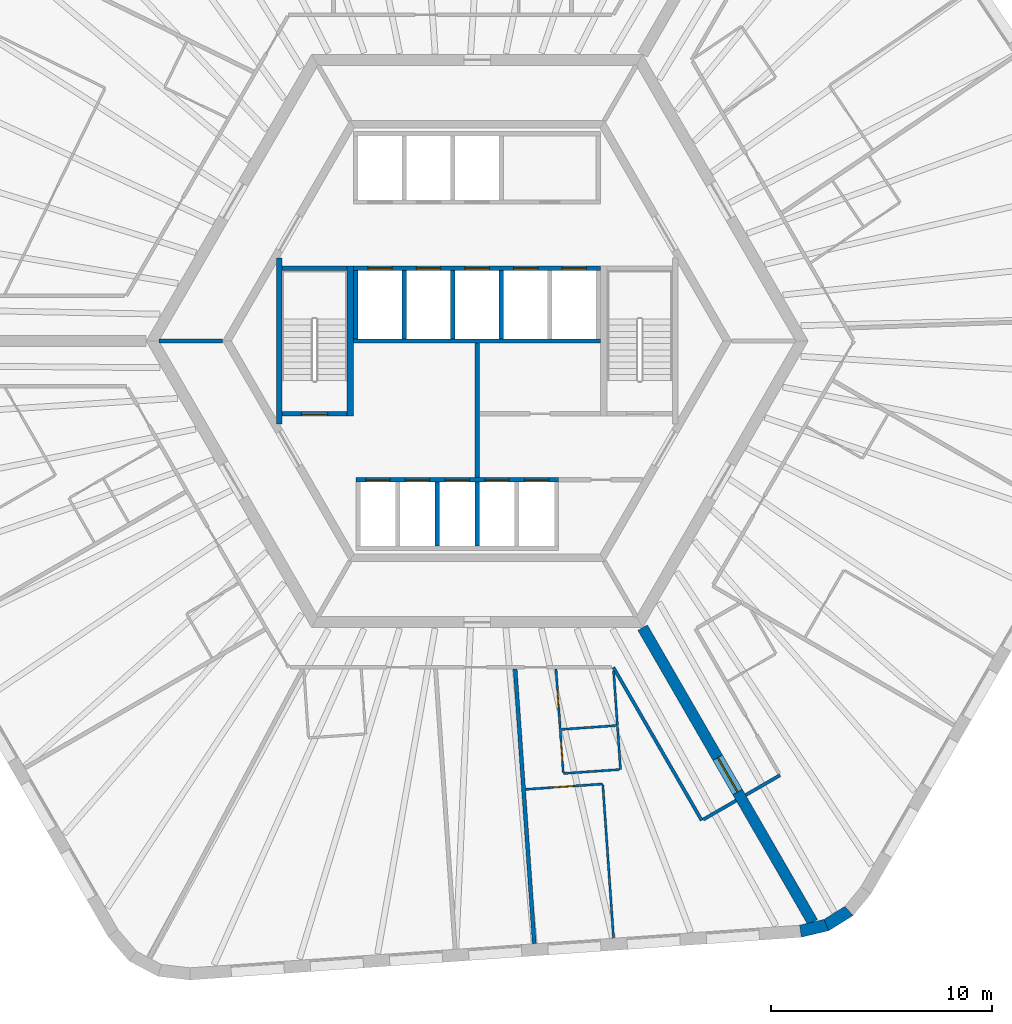
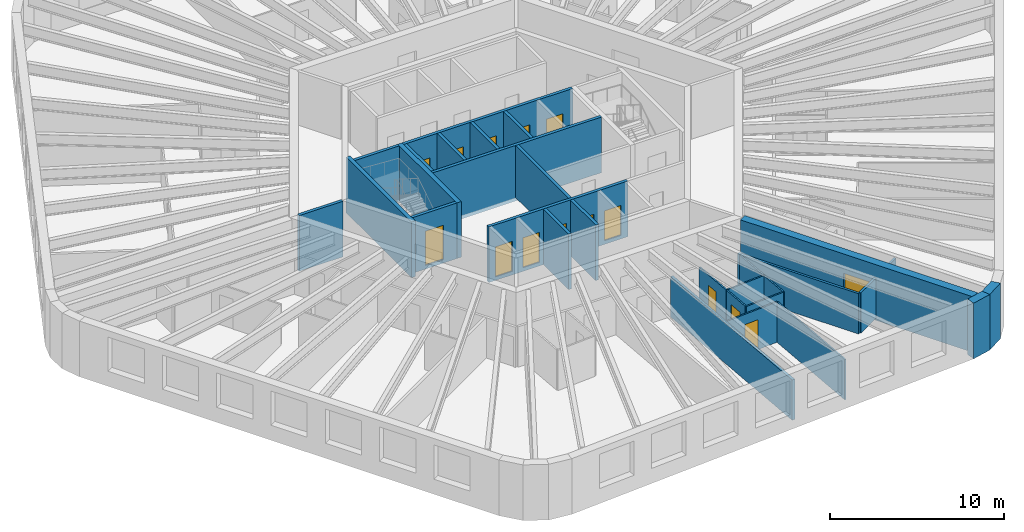
# One storey, part 4 of 10: 30 walls, 15 doors, 15 openings.
"""IFC4 building model written with IfcOpenShell, lengths in metres."""

from ifc_helpers import new_model, si_unit, direction, frame, frame_2d, origin, place, context, subcontext, project, spatial, polyline, rectangle, outline, extrude, material, layer, layer_set, type_object, element, fill, save


model = new_model("IFC4")

# Units and contexts
model_context = context("Model", 3, precision=1e-05, world=origin(), true_north=direction((0.0, 1.0)))
body_context = subcontext(model_context, "Body", "Model", "MODEL_VIEW")
ifc_project = project(units=[si_unit("LENGTHUNIT", "METRE"), si_unit("AREAUNIT", "SQUARE_METRE"), si_unit("VOLUMEUNIT", "CUBIC_METRE"), si_unit("PLANEANGLEUNIT", "RADIAN"), si_unit("MASSUNIT", "GRAM", prefix="KILO")], contexts=[model_context])

# Site, building, storey
site_placement = place(None, origin())
site = spatial("IfcSite", under=ifc_project, at=site_placement, CompositionType="ELEMENT")
building_placement = place(site_placement, origin())
building = spatial("IfcBuilding", under=site, at=building_placement, Name="Tarnside Tower", CompositionType="ELEMENT")
storey_placement = place(building_placement, frame((0.0, 0.0, 156.60009765625)))
storey = spatial("IfcBuildingStorey", under=building, at=storey_placement, Name="L36", CompositionType="ELEMENT", Elevation=156.60009765625)

# Wall, opening, door
ifc_material_1 = material(Name="Gypsum board partition on steel studs", Category="steel")
ifc_layer_1 = layer(ifc_material_1, 0.10009765625)
ifc_layer_set_1 = layer_set([ifc_layer_1], Name="Bathroom wall 100")
wall_type_1 = type_object("IfcWallType", Name="Bathroom wall 100", PredefinedType="PARTITIONING", material=ifc_layer_set_1)
wall_1_placement = place(storey_placement, frame((3.7685546875, -17.619384765625, 0.0), z_axis=(0.0, 0.0, 1.0), x_axis=(-0.06975229722, 0.997564342302, 0.0)))
wall_1 = element("IfcWall", 1, at=wall_1_placement, inside=storey, type_object=wall_type_1, Name="Bathroom wall 11086", PredefinedType="PARTITIONING", context=body_context, shape_type="SweptSolid", body=[
    extrude(rectangle(XDim=2.7509765625, YDim=0.10009765625, at=frame_2d((1.37548828125, 0.0))), origin(), (0.0, 0.0, 1.0), 2.8232421875),
])
opening_1_placement = place(wall_1_placement, frame((1.0, 0.0, 0.0)))
opening_1 = element("IfcOpeningElement", 2, at=opening_1_placement, cuts=wall_1, Name="Opening D-B1", PredefinedType="OPENING", context=body_context, shape_type="SweptSolid", body=[
    extrude(rectangle(XDim=0.800048828125, YDim=2.10009765625, at=frame_2d((0.39990234375, 1.050048828125))), frame((0.0, 0.06005859375, 0.0), z_axis=(0.0, -1.0, 0.0), x_axis=(1.0, 0.0, 0.0)), (0.0, 0.0, 1.0), 0.1201171875),
])
ifc_material_2 = material(Name="Timber door leaf", Category="wood")
door_type_1 = type_object("IfcDoorType", Name="Bathroom door 800", OperationType="NOTDEFINED", PredefinedType="DOOR", material=ifc_material_2)
door_1_placement = place(opening_1_placement, origin())
door_1 = element("IfcDoor", 3, at=door_1_placement, inside=storey, type_object=door_type_1, Name="Bathroom door 11022", OperationType="SINGLE_SWING_RIGHT", OverallHeight=2.10009765625, OverallWidth=0.800048828125, PredefinedType="DOOR", context=body_context, shape_type="SweptSolid", body=[
    extrude(rectangle(XDim=0.800048828125, YDim=2.10009765625, at=frame_2d((0.39990234375, 1.050048828125))), frame((0.0, 0.02490234375, 0.0), z_axis=(0.0, -1.0, 0.0), x_axis=(1.0, 0.0, 0.0)), (0.0, 0.0, 1.0), 0.050048828125),
])
fill(opening_1, door_1)

# Walls
wall_2_placement = place(storey_placement, frame((6.189697265625, -14.970703125, 0.0), z_axis=(0.0, 0.0, 1.0), x_axis=(0.069689641529, -0.997568721374, 0.0)))
element("IfcWall", 4, at=wall_2_placement, inside=storey, type_object=wall_type_1, Name="Bathroom wall 11087", PredefinedType="PARTITIONING", context=body_context, shape_type="SweptSolid", body=[
    extrude(rectangle(XDim=2.473388671875, YDim=0.10009765625, at=frame_2d((1.23681640625, 0.0))), origin(), (0.0, 0.0, 1.0), 2.8232421875),
])
wall_3_placement = place(storey_placement, frame((3.818359375, -17.615966796875, 0.0), z_axis=(0.0, 0.0, 1.0), x_axis=(0.99755930726, 0.069824268692, 0.0)))
element("IfcWall", 5, at=wall_3_placement, inside=storey, type_object=wall_type_1, Name="Bathroom wall 11093", PredefinedType="PARTITIONING", context=body_context, shape_type="SweptSolid", body=[
    extrude(rectangle(XDim=2.5, YDim=0.10009765625, at=frame_2d((1.25, 0.0))), origin(), (0.0, 0.0, 1.0), 2.8232421875),
])
ifc_material_3 = material(Name="Concrete C40/50", Category="concrete")
ifc_layer_2 = layer(ifc_material_3, 0.199951171875)
ifc_layer_set_2 = layer_set([ifc_layer_2], Name="Core room partition 200 C40/50")
wall_type_2 = type_object("IfcWallType", Name="Core room partition 200 C40/50", PredefinedType="PARTITIONING", material=ifc_layer_set_2)
wall_4_placement = place(storey_placement, frame((0.0, -6.199951171875, 0.0), z_axis=(0.0, 0.0, 1.0), x_axis=(0.0, 1.0, 0.0)))
element("IfcWall", 6, at=wall_4_placement, inside=storey, type_object=wall_type_2, Name="L36 core partition X0", PredefinedType="PARTITIONING", context=body_context, shape_type="SweptSolid", body=[
    extrude(rectangle(XDim=6.099853515625, YDim=0.199951171875, at=frame_2d((3.0498046875, 0.0))), origin(), (0.0, 0.0, 1.0), 3.64990234375),
])

# Wall, opening, door
ifc_material_4 = material(Name="Concrete C70/85", Category="concrete")
ifc_layer_3 = layer(ifc_material_4, 0.5)
ifc_layer_set_3 = layer_set([ifc_layer_3], Name="Core wall Z2 500 C70/85")
wall_type_3 = type_object("IfcWallType", Name="Core wall Z2 500 C70/85", PredefinedType="SHEAR", material=ifc_layer_set_3)
wall_5_placement = place(storey_placement, frame((7.505615234375, -13.0, -0.150146484375), z_axis=(0.0, 0.0, 1.0), x_axis=(0.499988271576, -0.866032175087, 0.0)))
wall_5 = element("IfcWall", 7, at=wall_5_placement, inside=storey, type_object=wall_type_3, Name="L36 spine wall 3", PredefinedType="SHEAR", context=body_context, shape_type="SweptSolid", body=[
    extrude(rectangle(XDim=15.423583984375, YDim=0.5, at=frame_2d((7.7119140625, 0.0))), origin(), (0.0, 0.0, 1.0), 3.900146484375),
])
opening_2_placement = place(wall_5_placement, frame((6.811767578125, 0.0, 0.14990234375)))
opening_2 = element("IfcOpeningElement", 8, at=opening_2_placement, cuts=wall_5, Name="Opening CD-SPN", PredefinedType="OPENING", context=body_context, shape_type="SweptSolid", body=[
    extrude(rectangle(XDim=1.800048828125, YDim=2.39990234375, at=frame_2d((0.89990234375, 1.199951171875))), frame((0.0, 0.260009765625, 0.0), z_axis=(0.0, -1.0, 0.0), x_axis=(1.0, 0.0, 0.0)), (0.0, 0.0, 1.0), 0.52001953125),
])
ifc_material_5 = material(Name="Steel fire door", Category="steel")
door_type_2 = type_object("IfcDoorType", Name="Spine passage double door FD60 1800x2400", OperationType="NOTDEFINED", PredefinedType="DOOR", material=ifc_material_5)
door_2_placement = place(opening_2_placement, origin())
door_2 = element("IfcDoor", 9, at=door_2_placement, inside=storey, type_object=door_type_2, Name="L36 spine passage door 3", OperationType="DOUBLE_DOOR_SINGLE_SWING", OverallHeight=2.39990234375, OverallWidth=1.800048828125, PredefinedType="DOOR", context=body_context, shape_type="SweptSolid", body=[
    extrude(rectangle(XDim=1.800048828125, YDim=2.39990234375, at=frame_2d((0.89990234375, 1.199951171875))), frame((0.0, 0.02490234375, 0.0), z_axis=(0.0, -1.0, 0.0), x_axis=(1.0, 0.0, 0.0)), (0.0, 0.0, 1.0), 0.050048828125),
])
fill(opening_2, door_2)

# Walls
ifc_layer_4 = layer(ifc_material_1, 0.14990234375)
ifc_layer_set_4 = layer_set([ifc_layer_4], Name="Corridor wall 150 EI 60")
wall_type_4 = type_object("IfcWallType", Name="Corridor wall 150 EI 60", PredefinedType="PARTITIONING", material=ifc_layer_set_4)
wall_6_placement = place(storey_placement, frame((6.177734375, -14.800048828125, 0.0), z_axis=(0.0, 0.0, 1.0), x_axis=(0.499984309814, -0.866034462328, 0.0)))
element("IfcWall", 10, at=wall_6_placement, inside=storey, type_object=wall_type_4, Name="Corridor wall 11029", PredefinedType="PARTITIONING", context=body_context, shape_type="SweptSolid", body=[
    extrude(rectangle(XDim=8.016845703125, YDim=0.14990234375, at=frame_2d((4.00830078125, 0.0))), origin(), (0.0, 0.0, 1.0), 2.8232421875),
])
wall_7_placement = place(storey_placement, frame((10.2509765625, -21.705322265625, 0.0), z_axis=(0.0, 0.0, 1.0), x_axis=(0.866013532718, 0.500020560727, 0.0)))
element("IfcWall", 11, at=wall_7_placement, inside=storey, type_object=wall_type_4, Name="Corridor wall 11030", PredefinedType="PARTITIONING", context=body_context, shape_type="SweptSolid", body=[
    extrude(rectangle(XDim=1.72509765625, YDim=0.14990234375, at=frame_2d((0.862548828125, 0.0))), origin(), (0.0, 0.0, 1.0), 2.8232421875),
])
wall_8_placement = place(storey_placement, frame((12.177978515625, -20.5927734375, 0.0), z_axis=(0.0, 0.0, 1.0), x_axis=(0.866047807691, 0.499961193289, 0.0)))
element("IfcWall", 12, at=wall_8_placement, inside=storey, type_object=wall_type_4, Name="Corridor wall 11032", PredefinedType="PARTITIONING", context=body_context, shape_type="SweptSolid", body=[
    extrude(rectangle(XDim=1.800048828125, YDim=0.14990234375, at=frame_2d((0.89990234375, 0.0))), origin(), (0.0, 0.0, 1.0), 2.8232421875),
])
ifc_layer_5 = layer(ifc_material_1, 0.179931640625)
ifc_layer_set_5 = layer_set([ifc_layer_5], Name="Demising wall 180 EI 60")
wall_type_5 = type_object("IfcWallType", Name="Demising wall 180 EI 60", PredefinedType="PARTITIONING", material=ifc_layer_set_5)
wall_9_placement = place(storey_placement, frame((2.59521484375, -27.33544921875, 0.0), z_axis=(0.0, 0.0, 1.0), x_axis=(-0.069757939761, 0.997563947745, 0.0)))
element("IfcWall", 13, at=wall_9_placement, inside=storey, type_object=wall_type_5, Name="Demising wall 11084", PredefinedType="PARTITIONING", context=body_context, shape_type="SweptSolid", body=[
    extrude(rectangle(XDim=12.490966796875, YDim=0.179931640625, at=frame_2d((6.24560546875, 0.0))), origin(), (0.0, 0.0, 1.0), 2.8232421875),
])

# Wall, openings, doors
ifc_layer_6 = layer(ifc_material_3, 0.199951171875)
ifc_layer_set_6 = layer_set([ifc_layer_6], Name="Lift shaft wall 200 C40/50")
wall_type_6 = type_object("IfcWallType", Name="Lift shaft wall 200 C40/50", PredefinedType="SHEAR", material=ifc_layer_set_6)
wall_10_placement = place(storey_placement, frame((-5.60009765625, 3.300048828125, -0.25), z_axis=(0.0, 0.0, 1.0), x_axis=(1.0, 0.0, 0.0)))
wall_10 = element("IfcWall", 14, at=wall_10_placement, inside=storey, type_object=wall_type_6, Name="L36 lift shaft front wall R2", PredefinedType="SHEAR", context=body_context, shape_type="SweptSolid", body=[
    extrude(rectangle(XDim=11.2001953125, YDim=0.199951171875, at=frame_2d((5.60009765625, 0.0))), origin(), (0.0, 0.0, 1.0), 3.89990234375),
])
opening_3_placement = place(wall_10_placement, frame((0.64990234375, 0.0, 0.25)))
opening_3 = element("IfcOpeningElement", 15, at=opening_3_placement, cuts=wall_10, Name="Opening LD", PredefinedType="OPENING", context=body_context, shape_type="SweptSolid", body=[
    extrude(rectangle(XDim=1.10009765625, YDim=2.10009765625, at=frame_2d((0.550048828125, 1.050048828125))), frame((0.0, 0.10986328125, 0.0), z_axis=(0.0, -1.0, 0.0), x_axis=(1.0, 0.0, 0.0)), (0.0, 0.0, 1.0), 0.219970703125),
])
opening_4_placement = place(wall_10_placement, frame((2.85009765625, 0.0, 0.25)))
opening_4 = element("IfcOpeningElement", 16, at=opening_4_placement, cuts=wall_10, Name="Opening LD", PredefinedType="OPENING", context=body_context, shape_type="SweptSolid", body=[
    extrude(rectangle(XDim=1.10009765625, YDim=2.10009765625, at=frame_2d((0.550048828125, 1.050048828125))), frame((0.0, 0.10986328125, 0.0), z_axis=(0.0, -1.0, 0.0), x_axis=(1.0, 0.0, 0.0)), (0.0, 0.0, 1.0), 0.219970703125),
])
opening_5_placement = place(wall_10_placement, frame((5.050048828125, 0.0, 0.25)))
opening_5 = element("IfcOpeningElement", 17, at=opening_5_placement, cuts=wall_10, Name="Opening LD", PredefinedType="OPENING", context=body_context, shape_type="SweptSolid", body=[
    extrude(rectangle(XDim=1.10009765625, YDim=2.10009765625, at=frame_2d((0.550048828125, 1.050048828125))), frame((0.0, 0.10986328125, 0.0), z_axis=(0.0, -1.0, 0.0), x_axis=(1.0, 0.0, 0.0)), (0.0, 0.0, 1.0), 0.219970703125),
])
opening_6_placement = place(wall_10_placement, frame((7.25, 0.0, 0.25)))
opening_6 = element("IfcOpeningElement", 18, at=opening_6_placement, cuts=wall_10, Name="Opening LD", PredefinedType="OPENING", context=body_context, shape_type="SweptSolid", body=[
    extrude(rectangle(XDim=1.10009765625, YDim=2.10009765625, at=frame_2d((0.550048828125, 1.050048828125))), frame((0.0, 0.10986328125, 0.0), z_axis=(0.0, -1.0, 0.0), x_axis=(1.0, 0.0, 0.0)), (0.0, 0.0, 1.0), 0.219970703125),
])
opening_7_placement = place(wall_10_placement, frame((9.449951171875, 0.0, 0.25)))
opening_7 = element("IfcOpeningElement", 19, at=opening_7_placement, cuts=wall_10, Name="Opening LD", PredefinedType="OPENING", context=body_context, shape_type="SweptSolid", body=[
    extrude(rectangle(XDim=1.10009765625, YDim=2.10009765625, at=frame_2d((0.550048828125, 1.050048828125))), frame((0.0, 0.10986328125, 0.0), z_axis=(0.0, -1.0, 0.0), x_axis=(1.0, 0.0, 0.0)), (0.0, 0.0, 1.0), 0.219970703125),
])
ifc_material_6 = material(Name="Stainless steel", Category="steel")
door_type_3 = type_object("IfcDoorType", Name="Lift landing door 1100x2100", OperationType="NOTDEFINED", PredefinedType="DOOR", material=ifc_material_6)
door_3_placement = place(opening_3_placement, origin())
door_3 = element("IfcDoor", 20, at=door_3_placement, inside=storey, type_object=door_type_3, Name="Mid-rise lift 4 landing door L36", OperationType="SLIDING_TO_LEFT", OverallHeight=2.10009765625, OverallWidth=1.10009765625, PredefinedType="DOOR", context=body_context, shape_type="SweptSolid", body=[
    extrude(rectangle(XDim=1.10009765625, YDim=2.10009765625, at=frame_2d((0.550048828125, 1.050048828125))), frame((0.0, 0.02490234375, 0.0), z_axis=(0.0, -1.0, 0.0), x_axis=(1.0, 0.0, 0.0)), (0.0, 0.0, 1.0), 0.050048828125),
])
fill(opening_3, door_3)
door_4_placement = place(opening_4_placement, origin())
door_4 = element("IfcDoor", 21, at=door_4_placement, inside=storey, type_object=door_type_3, Name="Mid-rise lift 5 landing door L36", OperationType="SLIDING_TO_LEFT", OverallHeight=2.10009765625, OverallWidth=1.10009765625, PredefinedType="DOOR", context=body_context, shape_type="SweptSolid", body=[
    extrude(rectangle(XDim=1.10009765625, YDim=2.10009765625, at=frame_2d((0.550048828125, 1.050048828125))), frame((0.0, 0.02490234375, 0.0), z_axis=(0.0, -1.0, 0.0), x_axis=(1.0, 0.0, 0.0)), (0.0, 0.0, 1.0), 0.050048828125),
])
fill(opening_4, door_4)
door_5_placement = place(opening_5_placement, origin())
door_5 = element("IfcDoor", 22, at=door_5_placement, inside=storey, type_object=door_type_3, Name="Mid-rise lift 6 landing door L36", OperationType="SLIDING_TO_LEFT", OverallHeight=2.10009765625, OverallWidth=1.10009765625, PredefinedType="DOOR", context=body_context, shape_type="SweptSolid", body=[
    extrude(rectangle(XDim=1.10009765625, YDim=2.10009765625, at=frame_2d((0.550048828125, 1.050048828125))), frame((0.0, 0.02490234375, 0.0), z_axis=(0.0, -1.0, 0.0), x_axis=(1.0, 0.0, 0.0)), (0.0, 0.0, 1.0), 0.050048828125),
])
fill(opening_5, door_5)
door_6_placement = place(opening_6_placement, origin())
door_6 = element("IfcDoor", 23, at=door_6_placement, inside=storey, type_object=door_type_3, Name="High sky-lobby shuttle 1 landing door L36", OperationType="SLIDING_TO_LEFT", OverallHeight=2.10009765625, OverallWidth=1.10009765625, PredefinedType="DOOR", context=body_context, shape_type="SweptSolid", body=[
    extrude(rectangle(XDim=1.10009765625, YDim=2.10009765625, at=frame_2d((0.550048828125, 1.050048828125))), frame((0.0, 0.02490234375, 0.0), z_axis=(0.0, -1.0, 0.0), x_axis=(1.0, 0.0, 0.0)), (0.0, 0.0, 1.0), 0.050048828125),
])
fill(opening_6, door_6)
door_7_placement = place(opening_7_placement, origin())
door_7 = element("IfcDoor", 24, at=door_7_placement, inside=storey, type_object=door_type_3, Name="Express sky-lobby shuttle 2 landing door L36", OperationType="SLIDING_TO_LEFT", OverallHeight=2.10009765625, OverallWidth=1.10009765625, PredefinedType="DOOR", context=body_context, shape_type="SweptSolid", body=[
    extrude(rectangle(XDim=1.10009765625, YDim=2.10009765625, at=frame_2d((0.550048828125, 1.050048828125))), frame((0.0, 0.02490234375, 0.0), z_axis=(0.0, -1.0, 0.0), x_axis=(1.0, 0.0, 0.0)), (0.0, 0.0, 1.0), 0.050048828125),
])
fill(opening_7, door_7)

# Walls
wall_11_placement = place(storey_placement, frame((-5.60009765625, 0.0, -0.25), z_axis=(0.0, 0.0, 1.0), x_axis=(1.0, 0.0, 0.0)))
element("IfcWall", 25, at=wall_11_placement, inside=storey, type_object=wall_type_6, Name="L36 lift shaft back wall R2", PredefinedType="SHEAR", context=body_context, shape_type="SweptSolid", body=[
    extrude(rectangle(XDim=11.2001953125, YDim=0.199951171875, at=frame_2d((5.60009765625, 0.0))), origin(), (0.0, 0.0, 1.0), 3.89990234375),
])
for number, where, z_axis, x_axis, name in (
    (26, (-5.5, 0.10009765625, -0.25), (0.0, 0.0, 1.0), (0.0, 1.0, 0.0), "L36 lift shaft partition R21"),
    (27, (-3.300048828125, 0.10009765625, -0.25), (0.0, 0.0, 1.0), (0.0, 1.0, 0.0), "L36 lift shaft partition R22"),
    (28, (-1.10009765625, 0.10009765625, -0.25), (0.0, 0.0, 1.0), (0.0, 1.0, 0.0), "L36 lift shaft partition R23"),
    (29, (1.10009765625, 0.10009765625, -0.25), (0.0, 0.0, 1.0), (0.0, 1.0, 0.0), "L36 lift shaft partition R24"),
):
    element("IfcWall", number, at=place(storey_placement, frame(where, z_axis=z_axis, x_axis=x_axis)), inside=storey, type_object=wall_type_6, Name=name, PredefinedType="SHEAR", context=body_context, shape_type="SweptSolid", body=[
        extrude(rectangle(XDim=3.099853515625, YDim=0.199951171875, at=frame_2d((1.5498046875, 0.0))), origin(), (0.0, 0.0, 1.0), 3.89990234375),
    ])

# Wall, openings, doors
wall_12_placement = place(storey_placement, frame((-5.5, -6.300048828125, -0.25), z_axis=(0.0, 0.0, 1.0), x_axis=(1.0, 0.0, 0.0)))
wall_12 = element("IfcWall", 30, at=wall_12_placement, inside=storey, type_object=wall_type_6, Name="L36 lift shaft front wall R4", PredefinedType="SHEAR", context=body_context, shape_type="SweptSolid", body=[
    extrude(rectangle(XDim=9.199951171875, YDim=0.199951171875, at=frame_2d((4.60009765625, 0.0))), origin(), (0.0, 0.0, 1.0), 3.89990234375),
])
opening_8_placement = place(wall_12_placement, frame((0.449951171875, 0.0, 0.25)))
opening_8 = element("IfcOpeningElement", 31, at=opening_8_placement, cuts=wall_12, Name="Opening LDF", PredefinedType="OPENING", context=body_context, shape_type="SweptSolid", body=[
    extrude(rectangle(XDim=1.10009765625, YDim=2.10009765625, at=frame_2d((0.550048828125, 1.050048828125))), frame((0.0, 0.10986328125, 0.0), z_axis=(0.0, -1.0, 0.0), x_axis=(1.0, 0.0, 0.0)), (0.0, 0.0, 1.0), 0.219970703125),
])
opening_9_placement = place(wall_12_placement, frame((2.25, 0.0, 0.25)))
opening_9 = element("IfcOpeningElement", 32, at=opening_9_placement, cuts=wall_12, Name="Opening LDF", PredefinedType="OPENING", context=body_context, shape_type="SweptSolid", body=[
    extrude(rectangle(XDim=1.10009765625, YDim=2.10009765625, at=frame_2d((0.550048828125, 1.050048828125))), frame((0.0, 0.10986328125, 0.0), z_axis=(0.0, -1.0, 0.0), x_axis=(1.0, 0.0, 0.0)), (0.0, 0.0, 1.0), 0.219970703125),
])
opening_10_placement = place(wall_12_placement, frame((4.050048828125, 0.0, 0.25)))
opening_10 = element("IfcOpeningElement", 33, at=opening_10_placement, cuts=wall_12, Name="Opening LDF", PredefinedType="OPENING", context=body_context, shape_type="SweptSolid", body=[
    extrude(rectangle(XDim=1.10009765625, YDim=2.10009765625, at=frame_2d((0.550048828125, 1.050048828125))), frame((0.0, 0.10986328125, 0.0), z_axis=(0.0, -1.0, 0.0), x_axis=(1.0, 0.0, 0.0)), (0.0, 0.0, 1.0), 0.219970703125),
])
opening_11_placement = place(wall_12_placement, frame((5.85009765625, 0.0, 0.25)))
opening_11 = element("IfcOpeningElement", 34, at=opening_11_placement, cuts=wall_12, Name="Opening LDF", PredefinedType="OPENING", context=body_context, shape_type="SweptSolid", body=[
    extrude(rectangle(XDim=1.10009765625, YDim=2.10009765625, at=frame_2d((0.550048828125, 1.050048828125))), frame((0.0, 0.10986328125, 0.0), z_axis=(0.0, -1.0, 0.0), x_axis=(1.0, 0.0, 0.0)), (0.0, 0.0, 1.0), 0.219970703125),
])
opening_12_placement = place(wall_12_placement, frame((7.64990234375, 0.0, 0.25)))
opening_12 = element("IfcOpeningElement", 35, at=opening_12_placement, cuts=wall_12, Name="Opening LDF", PredefinedType="OPENING", context=body_context, shape_type="SweptSolid", body=[
    extrude(rectangle(XDim=1.10009765625, YDim=2.10009765625, at=frame_2d((0.550048828125, 1.050048828125))), frame((0.0, 0.10986328125, 0.0), z_axis=(0.0, -1.0, 0.0), x_axis=(1.0, 0.0, 0.0)), (0.0, 0.0, 1.0), 0.219970703125),
])
door_type_4 = type_object("IfcDoorType", Name="Lift landing door 1100x2100 EI 120", OperationType="NOTDEFINED", PredefinedType="DOOR", material=ifc_material_6)
door_8_placement = place(opening_8_placement, origin())
door_8 = element("IfcDoor", 36, at=door_8_placement, inside=storey, type_object=door_type_4, Name="Firefighting lift 1 landing door L36", OperationType="SLIDING_TO_LEFT", OverallHeight=2.10009765625, OverallWidth=1.10009765625, PredefinedType="DOOR", context=body_context, shape_type="SweptSolid", body=[
    extrude(rectangle(XDim=1.10009765625, YDim=2.10009765625, at=frame_2d((0.550048828125, 1.050048828125))), frame((0.0, 0.02490234375, 0.0), z_axis=(0.0, -1.0, 0.0), x_axis=(1.0, 0.0, 0.0)), (0.0, 0.0, 1.0), 0.050048828125),
])
fill(opening_8, door_8)
door_9_placement = place(opening_9_placement, origin())
door_9 = element("IfcDoor", 37, at=door_9_placement, inside=storey, type_object=door_type_4, Name="Firefighting lift 2 landing door L36", OperationType="SLIDING_TO_LEFT", OverallHeight=2.10009765625, OverallWidth=1.10009765625, PredefinedType="DOOR", context=body_context, shape_type="SweptSolid", body=[
    extrude(rectangle(XDim=1.10009765625, YDim=2.10009765625, at=frame_2d((0.550048828125, 1.050048828125))), frame((0.0, 0.02490234375, 0.0), z_axis=(0.0, -1.0, 0.0), x_axis=(1.0, 0.0, 0.0)), (0.0, 0.0, 1.0), 0.050048828125),
])
fill(opening_9, door_9)
door_10_placement = place(opening_10_placement, origin())
door_10 = element("IfcDoor", 38, at=door_10_placement, inside=storey, type_object=door_type_4, Name="Firefighting lift 3 landing door L36", OperationType="SLIDING_TO_LEFT", OverallHeight=2.10009765625, OverallWidth=1.10009765625, PredefinedType="DOOR", context=body_context, shape_type="SweptSolid", body=[
    extrude(rectangle(XDim=1.10009765625, YDim=2.10009765625, at=frame_2d((0.550048828125, 1.050048828125))), frame((0.0, 0.02490234375, 0.0), z_axis=(0.0, -1.0, 0.0), x_axis=(1.0, 0.0, 0.0)), (0.0, 0.0, 1.0), 0.050048828125),
])
fill(opening_10, door_10)
door_11_placement = place(opening_11_placement, origin())
door_11 = element("IfcDoor", 39, at=door_11_placement, inside=storey, type_object=door_type_4, Name="Firefighting lift 4 landing door L36", OperationType="SLIDING_TO_LEFT", OverallHeight=2.10009765625, OverallWidth=1.10009765625, PredefinedType="DOOR", context=body_context, shape_type="SweptSolid", body=[
    extrude(rectangle(XDim=1.10009765625, YDim=2.10009765625, at=frame_2d((0.550048828125, 1.050048828125))), frame((0.0, 0.02490234375, 0.0), z_axis=(0.0, -1.0, 0.0), x_axis=(1.0, 0.0, 0.0)), (0.0, 0.0, 1.0), 0.050048828125),
])
fill(opening_11, door_11)
door_12_placement = place(opening_12_placement, origin())
door_12 = element("IfcDoor", 40, at=door_12_placement, inside=storey, type_object=door_type_4, Name="Firefighting lift 5 landing door L36", OperationType="SLIDING_TO_LEFT", OverallHeight=2.10009765625, OverallWidth=1.10009765625, PredefinedType="DOOR", context=body_context, shape_type="SweptSolid", body=[
    extrude(rectangle(XDim=1.10009765625, YDim=2.10009765625, at=frame_2d((0.550048828125, 1.050048828125))), frame((0.0, 0.02490234375, 0.0), z_axis=(0.0, -1.0, 0.0), x_axis=(1.0, 0.0, 0.0)), (0.0, 0.0, 1.0), 0.050048828125),
])
fill(opening_12, door_12)

# Walls
for number, where, z_axis, x_axis, name in (
    (41, (-1.800048828125, -9.300048828125, -0.25), (0.0, 0.0, 1.0), (0.0, 1.0, 0.0), "L36 lift shaft partition R43"),
    (42, (0.0, -9.300048828125, -0.25), (0.0, 0.0, 1.0), (0.0, 1.0, 0.0), "L36 lift shaft partition R44"),
):
    element("IfcWall", number, at=place(storey_placement, frame(where, z_axis=z_axis, x_axis=x_axis)), inside=storey, type_object=wall_type_6, Name=name, PredefinedType="SHEAR", context=body_context, shape_type="SweptSolid", body=[
        extrude(rectangle(XDim=2.900146484375, YDim=0.199951171875, at=frame_2d((1.4501953125, 0.0))), origin(), (0.0, 0.0, 1.0), 3.89990234375),
    ])
wall_13_placement = place(storey_placement, frame((-11.547119140625, 0.0, -0.150146484375), z_axis=(0.0, 0.0, 1.0), x_axis=(-1.0, 0.0, 0.0)))
element("IfcWall", 43, at=wall_13_placement, inside=storey, type_object=wall_type_6, Name="L36 core partition AR180", PredefinedType="SHEAR", context=body_context, shape_type="SweptSolid", body=[
    extrude(rectangle(XDim=2.88671875, YDim=0.199951171875, at=frame_2d((1.443359375, 0.0))), origin(), (0.0, 0.0, 1.0), 3.900146484375),
])
wall_14_placement = place(storey_placement, frame((-8.85009765625, 3.300048828125, -0.25), z_axis=(0.0, 0.0, 1.0), x_axis=(1.0, 0.0, 0.0)))
element("IfcWall", 44, at=wall_14_placement, inside=storey, type_object=wall_type_6, Name="L36 stair 2 enclosure cap wall n", PredefinedType="SHEAR", context=body_context, shape_type="SweptSolid", body=[
    extrude(rectangle(XDim=2.9501953125, YDim=0.199951171875, at=frame_2d((1.47509765625, 0.0))), origin(), (0.0, 0.0, 1.0), 3.89990234375),
])

# Wall, opening, door
wall_15_placement = place(storey_placement, frame((-8.85009765625, -3.300048828125, -0.25), z_axis=(0.0, 0.0, 1.0), x_axis=(1.0, 0.0, 0.0)))
wall_15 = element("IfcWall", 45, at=wall_15_placement, inside=storey, type_object=wall_type_6, Name="L36 stair 2 enclosure cap wall s", PredefinedType="SHEAR", context=body_context, shape_type="SweptSolid", body=[
    extrude(rectangle(XDim=2.9501953125, YDim=0.199951171875, at=frame_2d((1.47509765625, 0.0))), origin(), (0.0, 0.0, 1.0), 3.89990234375),
])
opening_13_placement = place(wall_15_placement, frame((0.875, 0.0, 0.25)))
opening_13 = element("IfcOpeningElement", 46, at=opening_13_placement, cuts=wall_15, Name="Opening CD-STR", PredefinedType="OPENING", context=body_context, shape_type="SweptSolid", body=[
    extrude(rectangle(XDim=1.199951171875, YDim=2.39990234375, at=frame_2d((0.60009765625, 1.199951171875))), frame((0.0, 0.10986328125, 0.0), z_axis=(0.0, -1.0, 0.0), x_axis=(1.0, 0.0, 0.0)), (0.0, 0.0, 1.0), 0.219970703125),
])
door_type_5 = type_object("IfcDoorType", Name="Stair door FD60S 1200x2400", OperationType="NOTDEFINED", PredefinedType="DOOR", material=ifc_material_5)
door_13_placement = place(opening_13_placement, origin())
door_13 = element("IfcDoor", 47, at=door_13_placement, inside=storey, type_object=door_type_5, Name="L36 stair 2 door", OperationType="SINGLE_SWING_LEFT", OverallHeight=2.39990234375, OverallWidth=1.199951171875, PredefinedType="DOOR", context=body_context, shape_type="SweptSolid", body=[
    extrude(rectangle(XDim=1.199951171875, YDim=2.39990234375, at=frame_2d((0.60009765625, 1.199951171875))), frame((0.0, 0.02490234375, 0.0), z_axis=(0.0, -1.0, 0.0), x_axis=(1.0, 0.0, 0.0)), (0.0, 0.0, 1.0), 0.050048828125),
])
fill(opening_13, door_13)

# Walls
ifc_layer_7 = layer(ifc_material_1, 0.10009765625)
ifc_layer_set_7 = layer_set([ifc_layer_7], Name="Partition 100")
wall_type_7 = type_object("IfcWallType", Name="Partition 100", PredefinedType="PARTITIONING", material=ifc_layer_set_7)
wall_16_placement = place(storey_placement, frame((6.36572265625, -17.488037109375, 0.0), z_axis=(0.0, 0.0, 1.0), x_axis=(0.069743152354, -0.997564981693, 0.0)))
element("IfcWall", 48, at=wall_16_placement, inside=storey, type_object=wall_type_7, Name="Partition wall 11088", PredefinedType="PARTITIONING", context=body_context, shape_type="SweptSolid", body=[
    extrude(rectangle(XDim=1.94970703125, YDim=0.10009765625, at=frame_2d((0.974853515625, 0.0))), origin(), (0.0, 0.0, 1.0), 2.8232421875),
])
wall_17_placement = place(storey_placement, frame((6.45166015625, -19.436767578125, 0.0), z_axis=(0.0, 0.0, 1.0), x_axis=(-0.997567829494, -0.069702407128, 0.0)))
element("IfcWall", 49, at=wall_17_placement, inside=storey, type_object=wall_type_7, Name="Partition wall 11089", PredefinedType="PARTITIONING", context=body_context, shape_type="SweptSolid", body=[
    extrude(rectangle(XDim=2.5498046875, YDim=0.10009765625, at=frame_2d((1.27490234375, 0.0))), origin(), (0.0, 0.0, 1.0), 2.8232421875),
])

# Wall, opening, door
wall_18_placement = place(storey_placement, frame((3.904541015625, -19.564697265625, 0.0), z_axis=(0.0, 0.0, 1.0), x_axis=(-0.069767755139, 0.997563261324, 0.0)))
wall_18 = element("IfcWall", 50, at=wall_18_placement, inside=storey, type_object=wall_type_7, Name="Partition wall 11090", PredefinedType="PARTITIONING", context=body_context, shape_type="SweptSolid", body=[
    extrude(rectangle(XDim=1.900146484375, YDim=0.10009765625, at=frame_2d((0.9501953125, 0.0))), origin(), (0.0, 0.0, 1.0), 2.8232421875),
])
opening_14_placement = place(wall_18_placement, frame((0.5, 0.0, 0.0)))
opening_14 = element("IfcOpeningElement", 51, at=opening_14_placement, cuts=wall_18, Name="Opening D-I1", PredefinedType="OPENING", context=body_context, shape_type="SweptSolid", body=[
    extrude(rectangle(XDim=0.89990234375, YDim=2.10009765625, at=frame_2d((0.449951171875, 1.050048828125))), frame((0.0, 0.06005859375, 0.0), z_axis=(0.0, -1.0, 0.0), x_axis=(1.0, 0.0, 0.0)), (0.0, 0.0, 1.0), 0.1201171875),
])
door_type_6 = type_object("IfcDoorType", Name="Internal door 900", OperationType="NOTDEFINED", PredefinedType="DOOR", material=ifc_material_2)
door_14_placement = place(opening_14_placement, origin())
door_14 = element("IfcDoor", 52, at=door_14_placement, inside=storey, type_object=door_type_6, Name="Internal door 11023", OperationType="SINGLE_SWING_RIGHT", OverallHeight=2.10009765625, OverallWidth=0.89990234375, PredefinedType="DOOR", context=body_context, shape_type="SweptSolid", body=[
    extrude(rectangle(XDim=0.89990234375, YDim=2.10009765625, at=frame_2d((0.449951171875, 1.050048828125))), frame((0.0, 0.02490234375, 0.0), z_axis=(0.0, -1.0, 0.0), x_axis=(1.0, 0.0, 0.0)), (0.0, 0.0, 1.0), 0.050048828125),
])
fill(opening_14, door_14)

wall_19_placement = place(storey_placement, frame((2.196044921875, -20.335693359375, 0.0), z_axis=(0.0, 0.0, 1.0), x_axis=(0.997563180885, 0.069768905267, 0.0)))
wall_19 = element("IfcWall", 53, at=wall_19_placement, inside=storey, type_object=wall_type_7, Name="Partition wall 11091", PredefinedType="PARTITIONING", context=body_context, shape_type="SweptSolid", body=[
    extrude(rectangle(XDim=3.509765625, YDim=0.10009765625, at=frame_2d((1.7548828125, 0.0))), origin(), (0.0, 0.0, 1.0), 2.8232421875),
])
opening_15_placement = place(wall_19_placement, frame((1.260009765625, 0.0, 0.0)))
opening_15 = element("IfcOpeningElement", 54, at=opening_15_placement, cuts=wall_19, Name="Opening D-I1", PredefinedType="OPENING", context=body_context, shape_type="SweptSolid", body=[
    extrude(rectangle(XDim=0.89990234375, YDim=2.10009765625, at=frame_2d((0.449951171875, 1.050048828125))), frame((0.0, 0.06005859375, 0.0), z_axis=(0.0, -1.0, 0.0), x_axis=(1.0, 0.0, 0.0)), (0.0, 0.0, 1.0), 0.1201171875),
])
door_15_placement = place(opening_15_placement, origin())
door_15 = element("IfcDoor", 55, at=door_15_placement, inside=storey, type_object=door_type_6, Name="Internal door 11024", OperationType="SINGLE_SWING_RIGHT", OverallHeight=2.10009765625, OverallWidth=0.89990234375, PredefinedType="DOOR", context=body_context, shape_type="SweptSolid", body=[
    extrude(rectangle(XDim=0.89990234375, YDim=2.10009765625, at=frame_2d((0.449951171875, 1.050048828125))), frame((0.0, 0.02490234375, 0.0), z_axis=(0.0, -1.0, 0.0), x_axis=(1.0, 0.0, 0.0)), (0.0, 0.0, 1.0), 0.050048828125),
])
fill(opening_15, door_15)

# Walls
wall_20_placement = place(storey_placement, frame((5.700927734375, -20.140869140625, 0.0), z_axis=(0.0, 0.0, 1.0), x_axis=(0.069763857423, -0.997563533915, 0.0)))
element("IfcWall", 56, at=wall_20_placement, inside=storey, type_object=wall_type_7, Name="Partition wall 11092", PredefinedType="PARTITIONING", context=body_context, shape_type="SweptSolid", body=[
    extrude(rectangle(XDim=6.96044921875, YDim=0.10009765625, at=frame_2d((3.480224609375, 0.0))), origin(), (0.0, 0.0, 1.0), 2.8232421875),
])
ifc_layer_8 = layer(ifc_material_3, 0.25)
ifc_layer_set_8 = layer_set([ifc_layer_8], Name="Stair enclosure wall 250 C40/50")
wall_type_8 = type_object("IfcWallType", Name="Stair enclosure wall 250 C40/50", PredefinedType="SHEAR", material=ifc_layer_set_8)
wall_21_placement = place(storey_placement, frame((-8.97509765625, -3.7548828125, -0.25), z_axis=(0.0, 0.0, 1.0), x_axis=(0.0, 1.0, 0.0)))
element("IfcWall", 57, at=wall_21_placement, inside=storey, type_object=wall_type_8, Name="L36 stair 2 enclosure wall outer", PredefinedType="SHEAR", context=body_context, shape_type="SweptSolid", body=[
    extrude(rectangle(XDim=7.509765625, YDim=0.25, at=frame_2d((3.7548828125, 0.0))), origin(), (0.0, 0.0, 1.0), 3.89990234375),
])
ifc_layer_9 = layer(ifc_material_3, 0.300048828125)
ifc_layer_set_9 = layer_set([ifc_layer_9], Name="Stair enclosure wall 300 C40/50")
wall_type_9 = type_object("IfcWallType", Name="Stair enclosure wall 300 C40/50", PredefinedType="SHEAR", material=ifc_layer_set_9)
wall_22_placement = place(storey_placement, frame((-5.75, -3.39990234375, -0.25), z_axis=(0.0, 0.0, 1.0), x_axis=(0.0, 1.0, 0.0)))
element("IfcWall", 58, at=wall_22_placement, inside=storey, type_object=wall_type_9, Name="L36 stair 2 enclosure wall inner", PredefinedType="SHEAR", context=body_context, shape_type="SweptSolid", body=[
    extrude(rectangle(XDim=6.7998046875, YDim=0.300048828125, at=frame_2d((3.39990234375, 0.0))), origin(), (0.0, 0.0, 1.0), 3.89990234375),
])
ifc_material_7 = material(Name="Facing brick", Category="masonry")
ifc_layer_10 = layer(ifc_material_7, 0.10205078125)
ifc_material_8 = material(Name="Concrete C60/75 precast", Category="concrete")
ifc_layer_11 = layer(ifc_material_8, 0.347900390625)
ifc_material_9 = material(Name="Mineral wool insulation")
ifc_layer_12 = layer(ifc_material_9, 0.10009765625)
ifc_layer_set_10 = layer_set([ifc_layer_10, ifc_layer_11, ifc_layer_12], Name="Tube wall 550 brick faced")
wall_type_10 = type_object("IfcWallType", Name="Tube wall 550 brick faced", PredefinedType="SOLIDWALL", material=ifc_layer_set_10)
wall_23_placement = place(storey_placement, frame((14.663818359375, -26.767333984375, -0.150146484375), z_axis=(0.0, 0.0, 1.0), x_axis=(0.973063591128, 0.230536868247, 0.0)))
element("IfcWall", 59, at=wall_23_placement, inside=storey, type_object=wall_type_10, Name="Tube wall L36 F4 chord 13", PredefinedType="SOLIDWALL", context=body_context, shape_type="SweptSolid", body=[
    extrude(outline(polyline([(-0.0224609375, -0.27490234375), (1.25341796875, -0.27490234375), (1.1630859375, 0.27490234375), (0.0224609375, 0.27490234375), (-0.0224609375, -0.27490234375)])), origin(), (0.0, 0.0, 1.0), 3.900146484375),
])
wall_24_placement = place(storey_placement, frame((15.839599609375, -26.48876953125, -0.150146484375), z_axis=(0.0, 0.0, 1.0), x_axis=(0.848009655012, 0.52998077796, 0.0)))
element("IfcWall", 60, at=wall_24_placement, inside=storey, type_object=wall_type_10, Name="Tube wall L36 F4 chord 14", PredefinedType="SOLIDWALL", context=body_context, shape_type="SweptSolid", body=[
    extrude(outline(polyline([(-0.045166015625, -0.27490234375), (1.25341796875, -0.27490234375), (1.1630859375, 0.27490234375), (0.045166015625, 0.27490234375), (-0.045166015625, -0.27490234375)])), origin(), (0.0, 0.0, 1.0), 3.900146484375),
])

save(model, "model.ifc")
